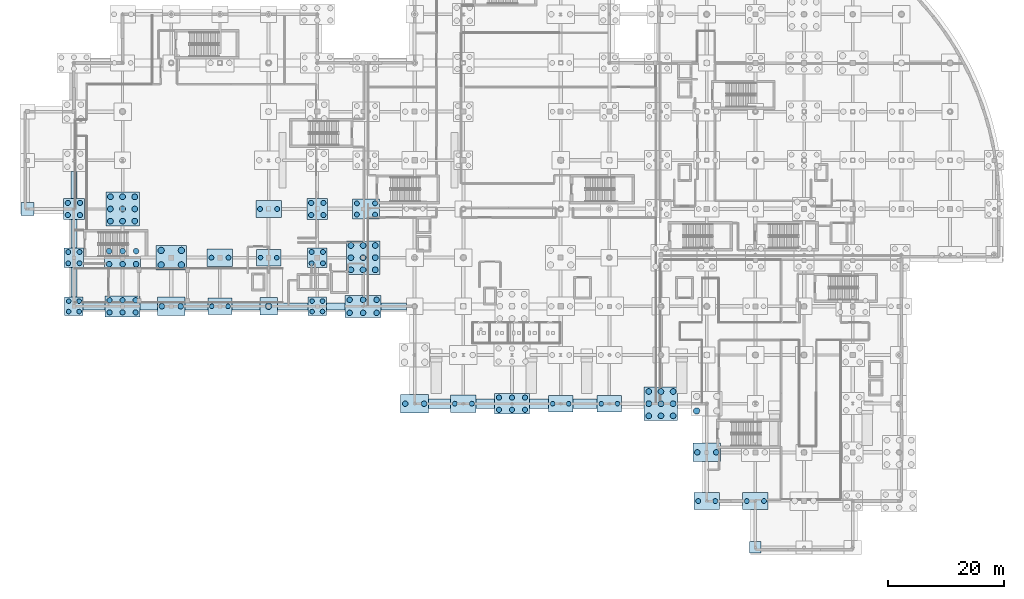
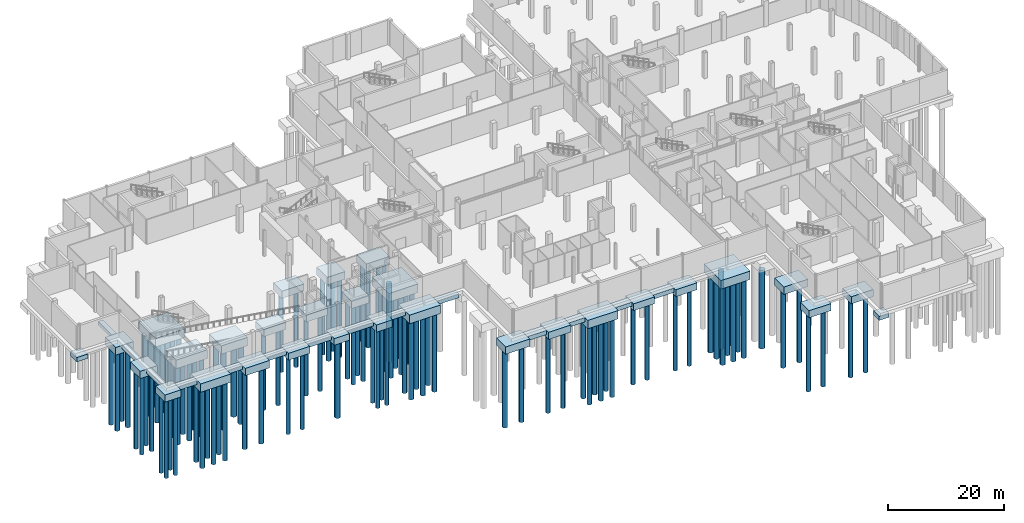
# One storey, part 1 of 49: 109 piles, 44 footings.
"""IFC4 building model written with IfcOpenShell, lengths in metres."""

from ifc_helpers import new_model, si_unit, direction, frame, origin, origin_2d, place, context, subcontext, project, spatial, rectangle, circle, extrude, material, material_profile, profile_set, type_object, element, save


model = new_model("IFC4")

# Units and contexts
model_context = context("Model", 3, precision=1e-05, world=origin(), true_north=direction((0.0, 1.0)))
body_context = subcontext(model_context, "Body", "Model", "MODEL_VIEW")
ifc_project = project(units=[si_unit("LENGTHUNIT", "METRE"), si_unit("AREAUNIT", "SQUARE_METRE"), si_unit("VOLUMEUNIT", "CUBIC_METRE"), si_unit("PLANEANGLEUNIT", "RADIAN"), si_unit("MASSUNIT", "GRAM", prefix="KILO"), si_unit("THERMODYNAMICTEMPERATUREUNIT", "KELVIN")], contexts=[model_context])

# Site, building, storey
site_placement = place(None, origin())
site = spatial("IfcSite", under=ifc_project, at=site_placement, CompositionType="ELEMENT")
building_placement = place(site_placement, origin())
building = spatial("IfcBuilding", under=site, at=building_placement, Name="Lustrewick Department Store", CompositionType="ELEMENT")
storey_placement = place(building_placement, frame((0.0, 0.0, -5.39990234375)))
storey = spatial("IfcBuildingStorey", under=building, at=storey_placement, Name="B1", CompositionType="ELEMENT", Elevation=-5.39990234375)

# Piles
ifc_material = material(Name="Concrete C40", Category="concrete")
ifc_material_profile_1 = material_profile(ifc_material, circle(Radius=0.39990234375, at=origin_2d()), Name="PILE D800")
ifc_profile_set_1 = profile_set([ifc_material_profile_1], Name="Concrete C40")
pile_type_1 = type_object("IfcPileType", Name="P01", PredefinedType="BORED", material=ifc_profile_set_1)
for number, where, z_axis, x_axis, name in (
    (1, (7.5, 41.10009765625, -2.10009765625), (0.0, 0.0, -1.0), (1.0, 0.0, 0.0), "Bored Pile P01 0001"),
    (2, (7.5, 42.89990234375, -2.10009765625), (0.0, 0.0, -1.0), (1.0, 0.0, 0.0), "Bored Pile P01 0002"),
    (3, (9.300048828125, 41.10009765625, -2.10009765625), (0.0, 0.0, -1.0), (1.0, 0.0, 0.0), "Bored Pile P01 0003"),
    (4, (9.300048828125, 42.89990234375, -2.10009765625), (0.0, 0.0, -1.0), (1.0, 0.0, 0.0), "Bored Pile P01 0004"),
    (5, (32.199951171875, 42.0, -2.050048828125), (0.0, 0.0, -1.0), (1.0, 0.0, 0.0), "Bored Pile P01 0062"),
    (6, (35.0, 42.0, -2.050048828125), (0.0, 0.0, -1.0), (1.0, 0.0, 0.0), "Bored Pile P01 0063"),
    (7, (40.60009765625, 50.39990234375, -2.050048828125), (0.0, 0.0, -1.0), (1.0, 0.0, 0.0), "Bored Pile P01 0070"),
    (8, (43.39990234375, 50.39990234375, -2.050048828125), (0.0, 0.0, -1.0), (1.0, 0.0, 0.0), "Bored Pile P01 0071"),
    (9, (49.5, 41.10009765625, -2.10009765625), (0.0, 0.0, -1.0), (1.0, 0.0, 0.0), "Bored Pile P01 0079"),
    (10, (49.5, 42.89990234375, -2.10009765625), (0.0, 0.0, -1.0), (1.0, 0.0, 0.0), "Bored Pile P01 0080"),
    (11, (51.300048828125, 41.10009765625, -2.10009765625), (0.0, 0.0, -1.0), (1.0, 0.0, 0.0), "Bored Pile P01 0081"),
    (12, (51.300048828125, 42.89990234375, -2.10009765625), (0.0, 0.0, -1.0), (1.0, 0.0, 0.0), "Bored Pile P01 0082"),
    (13, (91.0, 25.199951171875, -2.050048828125), (0.0, 0.0, -1.0), (1.0, 0.0, 0.0), "Bored Pile P01 0216"),
    (14, (93.800048828125, 25.199951171875, -2.050048828125), (0.0, 0.0, -1.0), (1.0, 0.0, 0.0), "Bored Pile P01 0217"),
    (15, (99.39990234375, 25.199951171875, -2.050048828125), (0.0, 0.0, -1.0), (1.0, 0.0, 0.0), "Bored Pile P01 0236"),
    (16, (102.199951171875, 25.199951171875, -2.050048828125), (0.0, 0.0, -1.0), (1.0, 0.0, 0.0), "Bored Pile P01 0237"),
):
    element("IfcPile", number, at=place(storey_placement, frame(where, z_axis=z_axis, x_axis=x_axis)), inside=storey, type_object=pile_type_1, Name=name, PredefinedType="BORED", context=body_context, shape_type="SweptSolid", body=[
        extrude(circle(Radius=0.39990234375, at=origin_2d()), origin(), (0.0, 0.0, 1.0), 16.5),
    ])
ifc_material_profile_2 = material_profile(ifc_material, circle(Radius=0.425048828125, at=origin_2d()), Name="PILE D850")
ifc_profile_set_2 = profile_set([ifc_material_profile_2], Name="Concrete C40")
pile_type_2 = type_object("IfcPileType", Name="P02", PredefinedType="BORED", material=ifc_profile_set_2)
for number, where, z_axis, x_axis, name in (
    (17, (7.425048828125, 49.425048828125, -2.150146484375), (0.0, 0.0, -1.0), (1.0, 0.0, 0.0), "Bored Pile P02 0005"),
    (18, (7.425048828125, 51.375, -2.150146484375), (0.0, 0.0, -1.0), (1.0, 0.0, 0.0), "Bored Pile P02 0006"),
    (19, (9.375, 49.425048828125, -2.150146484375), (0.0, 0.0, -1.0), (1.0, 0.0, 0.0), "Bored Pile P02 0007"),
    (20, (9.375, 51.375, -2.150146484375), (0.0, 0.0, -1.0), (1.0, 0.0, 0.0), "Bored Pile P02 0008"),
    (21, (32.125, 50.39990234375, -2.10009765625), (0.0, 0.0, -1.0), (1.0, 0.0, 0.0), "Bored Pile P02 0064"),
    (22, (35.074951171875, 50.39990234375, -2.10009765625), (0.0, 0.0, -1.0), (1.0, 0.0, 0.0), "Bored Pile P02 0065"),
    (23, (40.52490234375, 58.800048828125, -2.10009765625), (0.0, 0.0, -1.0), (1.0, 0.0, 0.0), "Bored Pile P02 0072"),
    (24, (43.47509765625, 58.800048828125, -2.10009765625), (0.0, 0.0, -1.0), (1.0, 0.0, 0.0), "Bored Pile P02 0073"),
    (25, (49.425048828125, 49.425048828125, -2.150146484375), (0.0, 0.0, -1.0), (1.0, 0.0, 0.0), "Bored Pile P02 0083"),
    (26, (49.425048828125, 51.375, -2.150146484375), (0.0, 0.0, -1.0), (1.0, 0.0, 0.0), "Bored Pile P02 0084"),
    (27, (51.375, 49.425048828125, -2.150146484375), (0.0, 0.0, -1.0), (1.0, 0.0, 0.0), "Bored Pile P02 0085"),
    (28, (51.375, 51.375, -2.150146484375), (0.0, 0.0, -1.0), (1.0, 0.0, 0.0), "Bored Pile P02 0086"),
    (29, (57.22509765625, 57.824951171875, -2.25), (0.0, 0.0, -1.0), (1.0, 0.0, 0.0), "Bored Pile P02 0126"),
    (30, (57.22509765625, 59.77490234375, -2.25), (0.0, 0.0, -1.0), (1.0, 0.0, 0.0), "Bored Pile P02 0127"),
    (31, (60.375, 57.824951171875, -2.25), (0.0, 0.0, -1.0), (1.0, 0.0, 0.0), "Bored Pile P02 0128"),
    (32, (60.375, 59.77490234375, -2.25), (0.0, 0.0, -1.0), (1.0, 0.0, 0.0), "Bored Pile P02 0129"),
    (33, (74.125, 25.199951171875, -2.10009765625), (0.0, 0.0, -1.0), (1.0, 0.0, 0.0), "Bored Pile P02 0160"),
    (34, (77.074951171875, 25.199951171875, -2.10009765625), (0.0, 0.0, -1.0), (1.0, 0.0, 0.0), "Bored Pile P02 0161"),
    (35, (116.125, 8.39990234375, -2.10009765625), (0.0, 0.0, -1.0), (1.0, 0.0, 0.0), "Bored Pile P02 0292"),
    (36, (119.074951171875, 8.39990234375, -2.10009765625), (0.0, 0.0, -1.0), (1.0, 0.0, 0.0), "Bored Pile P02 0293"),
    (37, (124.52490234375, 8.39990234375, -2.10009765625), (0.0, 0.0, -1.0), (1.0, 0.0, 0.0), "Bored Pile P02 0306"),
    (38, (127.47509765625, 8.39990234375, -2.10009765625), (0.0, 0.0, -1.0), (1.0, 0.0, 0.0), "Bored Pile P02 0307"),
):
    element("IfcPile", number, at=place(storey_placement, frame(where, z_axis=z_axis, x_axis=x_axis)), inside=storey, type_object=pile_type_2, Name=name, PredefinedType="BORED", context=body_context, shape_type="SweptSolid", body=[
        extrude(circle(Radius=0.425048828125, at=origin_2d()), origin(), (0.0, 0.0, 1.0), 16.5),
    ])
ifc_material_profile_3 = material_profile(ifc_material, circle(Radius=0.449951171875, at=origin_2d()), Name="PILE D900")
ifc_profile_set_3 = profile_set([ifc_material_profile_3], Name="Concrete C40")
pile_type_3 = type_object("IfcPileType", Name="P03", PredefinedType="BORED", material=ifc_profile_set_3)
for number, where, z_axis, x_axis, name in (
    (39, (7.35009765625, 57.75, -2.2001953125), (0.0, 0.0, -1.0), (1.0, 0.0, 0.0), "Bored Pile P03 0009"),
    (40, (7.35009765625, 59.85009765625, -2.2001953125), (0.0, 0.0, -1.0), (1.0, 0.0, 0.0), "Bored Pile P03 0010"),
    (41, (9.449951171875, 57.75, -2.2001953125), (0.0, 0.0, -1.0), (1.0, 0.0, 0.0), "Bored Pile P03 0011"),
    (42, (9.449951171875, 59.85009765625, -2.2001953125), (0.0, 0.0, -1.0), (1.0, 0.0, 0.0), "Bored Pile P03 0012"),
    (43, (14.550048828125, 40.949951171875, -2.35009765625), (0.0, 0.0, -1.0), (1.0, 0.0, 0.0), "Bored Pile P03 0027"),
    (44, (14.550048828125, 43.050048828125, -2.35009765625), (0.0, 0.0, -1.0), (1.0, 0.0, 0.0), "Bored Pile P03 0028"),
    (45, (16.800048828125, 40.949951171875, -2.35009765625), (0.0, 0.0, -1.0), (1.0, 0.0, 0.0), "Bored Pile P03 0029"),
    (46, (16.800048828125, 43.050048828125, -2.35009765625), (0.0, 0.0, -1.0), (1.0, 0.0, 0.0), "Bored Pile P03 0030"),
    (47, (19.050048828125, 40.949951171875, -2.35009765625), (0.0, 0.0, -1.0), (1.0, 0.0, 0.0), "Bored Pile P03 0031"),
    (48, (19.050048828125, 43.050048828125, -2.35009765625), (0.0, 0.0, -1.0), (1.0, 0.0, 0.0), "Bored Pile P03 0032"),
    (49, (49.35009765625, 57.75, -2.2001953125), (0.0, 0.0, -1.0), (1.0, 0.0, 0.0), "Bored Pile P03 0087"),
    (50, (49.35009765625, 59.85009765625, -2.2001953125), (0.0, 0.0, -1.0), (1.0, 0.0, 0.0), "Bored Pile P03 0088"),
    (51, (51.449951171875, 57.75, -2.2001953125), (0.0, 0.0, -1.0), (1.0, 0.0, 0.0), "Bored Pile P03 0089"),
    (52, (51.449951171875, 59.85009765625, -2.2001953125), (0.0, 0.0, -1.0), (1.0, 0.0, 0.0), "Bored Pile P03 0090"),
    (53, (81.75, 24.14990234375, -2.35009765625), (0.0, 0.0, -1.0), (1.0, 0.0, 0.0), "Bored Pile P03 0193"),
    (54, (81.75, 26.25, -2.35009765625), (0.0, 0.0, -1.0), (1.0, 0.0, 0.0), "Bored Pile P03 0194"),
    (55, (84.0, 24.14990234375, -2.35009765625), (0.0, 0.0, -1.0), (1.0, 0.0, 0.0), "Bored Pile P03 0195"),
    (56, (84.0, 26.25, -2.35009765625), (0.0, 0.0, -1.0), (1.0, 0.0, 0.0), "Bored Pile P03 0196"),
    (57, (86.25, 24.14990234375, -2.35009765625), (0.0, 0.0, -1.0), (1.0, 0.0, 0.0), "Bored Pile P03 0197"),
    (58, (86.25, 26.25, -2.35009765625), (0.0, 0.0, -1.0), (1.0, 0.0, 0.0), "Bored Pile P03 0198"),
):
    element("IfcPile", number, at=place(storey_placement, frame(where, z_axis=z_axis, x_axis=x_axis)), inside=storey, type_object=pile_type_3, Name=name, PredefinedType="BORED", context=body_context, shape_type="SweptSolid", body=[
        extrude(circle(Radius=0.449951171875, at=origin_2d()), origin(), (0.0, 0.0, 1.0), 16.5),
    ])
ifc_material_profile_4 = material_profile(ifc_material, circle(Radius=0.47509765625, at=origin_2d()), Name="PILE D950")
ifc_profile_set_4 = profile_set([ifc_material_profile_4], Name="Concrete C40")
pile_type_4 = type_object("IfcPileType", Name="P04", PredefinedType="BORED", material=ifc_profile_set_4)
for number, where, z_axis, x_axis, name in (
    (59, (14.47509765625, 49.27490234375, -2.400146484375), (0.0, 0.0, -1.0), (1.0, 0.0, 0.0), "Bored Pile P04 0033"),
    (60, (14.47509765625, 51.52490234375, -2.400146484375), (0.0, 0.0, -1.0), (1.0, 0.0, 0.0), "Bored Pile P04 0034"),
    (61, (16.800048828125, 49.27490234375, -2.400146484375), (0.0, 0.0, -1.0), (1.0, 0.0, 0.0), "Bored Pile P04 0035"),
    (62, (16.800048828125, 51.52490234375, -2.400146484375), (0.0, 0.0, -1.0), (1.0, 0.0, 0.0), "Bored Pile P04 0036"),
    (63, (19.125, 49.27490234375, -2.400146484375), (0.0, 0.0, -1.0), (1.0, 0.0, 0.0), "Bored Pile P04 0037"),
    (64, (19.125, 51.52490234375, -2.400146484375), (0.0, 0.0, -1.0), (1.0, 0.0, 0.0), "Bored Pile P04 0038"),
    (65, (23.574951171875, 42.0, -2.150146484375), (0.0, 0.0, -1.0), (1.0, 0.0, 0.0), "Bored Pile P04 0054"),
    (66, (26.824951171875, 42.0, -2.150146484375), (0.0, 0.0, -1.0), (1.0, 0.0, 0.0), "Bored Pile P04 0055"),
    (67, (55.97509765625, 40.875, -2.400146484375), (0.0, 0.0, -1.0), (1.0, 0.0, 0.0), "Bored Pile P04 0111"),
    (68, (55.97509765625, 43.125, -2.400146484375), (0.0, 0.0, -1.0), (1.0, 0.0, 0.0), "Bored Pile P04 0112"),
    (69, (58.300048828125, 40.875, -2.400146484375), (0.0, 0.0, -1.0), (1.0, 0.0, 0.0), "Bored Pile P04 0113"),
    (70, (58.300048828125, 43.125, -2.400146484375), (0.0, 0.0, -1.0), (1.0, 0.0, 0.0), "Bored Pile P04 0114"),
    (71, (60.625, 40.875, -2.400146484375), (0.0, 0.0, -1.0), (1.0, 0.0, 0.0), "Bored Pile P04 0115"),
    (72, (60.625, 43.125, -2.400146484375), (0.0, 0.0, -1.0), (1.0, 0.0, 0.0), "Bored Pile P04 0116"),
    (73, (65.574951171875, 25.199951171875, -2.150146484375), (0.0, 0.0, -1.0), (1.0, 0.0, 0.0), "Bored Pile P04 0142"),
    (74, (68.824951171875, 25.199951171875, -2.150146484375), (0.0, 0.0, -1.0), (1.0, 0.0, 0.0), "Bored Pile P04 0143"),
    (75, (115.97509765625, 16.800048828125, -2.150146484375), (0.0, 0.0, -1.0), (1.0, 0.0, 0.0), "Bored Pile P04 0294"),
    (76, (119.22509765625, 16.800048828125, -2.150146484375), (0.0, 0.0, -1.0), (1.0, 0.0, 0.0), "Bored Pile P04 0295"),
):
    element("IfcPile", number, at=place(storey_placement, frame(where, z_axis=z_axis, x_axis=x_axis)), inside=storey, type_object=pile_type_4, Name=name, PredefinedType="BORED", context=body_context, shape_type="SweptSolid", body=[
        extrude(circle(Radius=0.47509765625, at=origin_2d()), origin(), (0.0, 0.0, 1.0), 16.5),
    ])
ifc_material_profile_5 = material_profile(ifc_material, circle(Radius=0.5, at=origin_2d()), Name="PILE D1000")
ifc_profile_set_5 = profile_set([ifc_material_profile_5], Name="Concrete C40")
pile_type_5 = type_object("IfcPileType", Name="P05", PredefinedType="BORED", material=ifc_profile_set_5)
for number, where, z_axis, x_axis, name in (
    (77, (14.699951171875, 56.699951171875, -2.400146484375), (0.0, 0.0, -1.0), (1.0, 0.0, 0.0), "Bored Pile P05 0039"),
    (78, (14.699951171875, 58.800048828125, -2.400146484375), (0.0, 0.0, -1.0), (1.0, 0.0, 0.0), "Bored Pile P05 0040"),
    (79, (14.699951171875, 60.89990234375, -2.400146484375), (0.0, 0.0, -1.0), (1.0, 0.0, 0.0), "Bored Pile P05 0041"),
    (80, (16.800048828125, 56.699951171875, -2.400146484375), (0.0, 0.0, -1.0), (1.0, 0.0, 0.0), "Bored Pile P05 0042"),
    (81, (16.800048828125, 58.800048828125, -2.400146484375), (0.0, 0.0, -1.0), (1.0, 0.0, 0.0), "Bored Pile P05 0043"),
    (82, (16.800048828125, 60.89990234375, -2.400146484375), (0.0, 0.0, -1.0), (1.0, 0.0, 0.0), "Bored Pile P05 0044"),
    (83, (18.89990234375, 56.699951171875, -2.400146484375), (0.0, 0.0, -1.0), (1.0, 0.0, 0.0), "Bored Pile P05 0045"),
    (84, (18.89990234375, 58.800048828125, -2.400146484375), (0.0, 0.0, -1.0), (1.0, 0.0, 0.0), "Bored Pile P05 0046"),
    (85, (18.89990234375, 60.89990234375, -2.400146484375), (0.0, 0.0, -1.0), (1.0, 0.0, 0.0), "Bored Pile P05 0047"),
    (86, (56.199951171875, 48.300048828125, -2.400146484375), (0.0, 0.0, -1.0), (1.0, 0.0, 0.0), "Bored Pile P05 0117"),
    (87, (56.199951171875, 50.39990234375, -2.400146484375), (0.0, 0.0, -1.0), (1.0, 0.0, 0.0), "Bored Pile P05 0118"),
    (88, (56.199951171875, 52.5, -2.400146484375), (0.0, 0.0, -1.0), (1.0, 0.0, 0.0), "Bored Pile P05 0119"),
    (89, (58.300048828125, 48.300048828125, -2.400146484375), (0.0, 0.0, -1.0), (1.0, 0.0, 0.0), "Bored Pile P05 0120"),
    (90, (58.300048828125, 50.39990234375, -2.400146484375), (0.0, 0.0, -1.0), (1.0, 0.0, 0.0), "Bored Pile P05 0121"),
    (91, (58.300048828125, 52.5, -2.400146484375), (0.0, 0.0, -1.0), (1.0, 0.0, 0.0), "Bored Pile P05 0122"),
    (92, (60.39990234375, 48.300048828125, -2.400146484375), (0.0, 0.0, -1.0), (1.0, 0.0, 0.0), "Bored Pile P05 0123"),
    (93, (60.39990234375, 50.39990234375, -2.400146484375), (0.0, 0.0, -1.0), (1.0, 0.0, 0.0), "Bored Pile P05 0124"),
    (94, (60.39990234375, 52.5, -2.400146484375), (0.0, 0.0, -1.0), (1.0, 0.0, 0.0), "Bored Pile P05 0125"),
    (95, (107.60009765625, 23.10009765625, -2.400146484375), (0.0, 0.0, -1.0), (1.0, 0.0, 0.0), "Bored Pile P05 0277"),
    (96, (107.60009765625, 25.199951171875, -2.400146484375), (0.0, 0.0, -1.0), (1.0, 0.0, 0.0), "Bored Pile P05 0278"),
    (97, (107.60009765625, 27.300048828125, -2.400146484375), (0.0, 0.0, -1.0), (1.0, 0.0, 0.0), "Bored Pile P05 0279"),
    (98, (109.699951171875, 23.10009765625, -2.400146484375), (0.0, 0.0, -1.0), (1.0, 0.0, 0.0), "Bored Pile P05 0280"),
    (99, (109.699951171875, 25.199951171875, -2.400146484375), (0.0, 0.0, -1.0), (1.0, 0.0, 0.0), "Bored Pile P05 0281"),
    (100, (109.699951171875, 27.300048828125, -2.400146484375), (0.0, 0.0, -1.0), (1.0, 0.0, 0.0), "Bored Pile P05 0282"),
    (101, (111.800048828125, 23.10009765625, -2.400146484375), (0.0, 0.0, -1.0), (1.0, 0.0, 0.0), "Bored Pile P05 0283"),
    (102, (111.800048828125, 25.199951171875, -2.400146484375), (0.0, 0.0, -1.0), (1.0, 0.0, 0.0), "Bored Pile P05 0284"),
    (103, (111.800048828125, 27.300048828125, -2.400146484375), (0.0, 0.0, -1.0), (1.0, 0.0, 0.0), "Bored Pile P05 0285"),
):
    element("IfcPile", number, at=place(storey_placement, frame(where, z_axis=z_axis, x_axis=x_axis)), inside=storey, type_object=pile_type_5, Name=name, PredefinedType="BORED", context=body_context, shape_type="SweptSolid", body=[
        extrude(circle(Radius=0.5, at=origin_2d()), origin(), (0.0, 0.0, 1.0), 16.5),
    ])
ifc_material_profile_6 = material_profile(ifc_material, circle(Radius=0.550048828125, at=origin_2d()), Name="PILE D1100")
ifc_profile_set_6 = profile_set([ifc_material_profile_6], Name="Concrete C40")
pile_type_6 = type_object("IfcPileType", Name="P06", PredefinedType="BORED", material=ifc_profile_set_6)
for number, where, z_axis, x_axis, name in (
    (104, (23.449951171875, 49.14990234375, -2.35009765625), (0.0, 0.0, -1.0), (1.0, 0.0, 0.0), "Bored Pile P06 0056"),
    (105, (23.449951171875, 51.64990234375, -2.35009765625), (0.0, 0.0, -1.0), (1.0, 0.0, 0.0), "Bored Pile P06 0057"),
    (106, (26.949951171875, 49.14990234375, -2.35009765625), (0.0, 0.0, -1.0), (1.0, 0.0, 0.0), "Bored Pile P06 0058"),
    (107, (26.949951171875, 51.64990234375, -2.35009765625), (0.0, 0.0, -1.0), (1.0, 0.0, 0.0), "Bored Pile P06 0059"),
    (108, (42.0, 42.0, -2.0), (0.0, 0.0, -1.0), (1.0, 0.0, 0.0), "Bored Pile P06 0069"),
    (109, (115.85009765625, 23.949951171875, -2.35009765625), (0.0, 0.0, -1.0), (1.0, 0.0, 0.0), "Bored Pile P06 0296"),
):
    element("IfcPile", number, at=place(storey_placement, frame(where, z_axis=z_axis, x_axis=x_axis)), inside=storey, type_object=pile_type_6, Name=name, PredefinedType="BORED", context=body_context, shape_type="SweptSolid", body=[
        extrude(circle(Radius=0.550048828125, at=origin_2d()), origin(), (0.0, 0.0, 1.0), 16.5),
    ])

# Footings
footing_type_1 = type_object("IfcFootingType", Name="PC01", PredefinedType="PILE_CAP", material=ifc_material)
for number, where, z_axis, x_axis, name in (
    (110, (8.39990234375, 42.0, -2.2001953125), (0.0, 0.0, 1.0), (1.0, 0.0, 0.0), "Pile Cap PC01 001"),
    (111, (50.39990234375, 42.0, -2.2001953125), (0.0, 0.0, 1.0), (1.0, 0.0, 0.0), "Pile Cap PC01 029"),
):
    element("IfcFooting", number, at=place(storey_placement, frame(where, z_axis=z_axis, x_axis=x_axis)), inside=storey, type_object=footing_type_1, Name=name, PredefinedType="PILE_CAP", context=body_context, shape_type="SweptSolid", body=[
        extrude(rectangle(XDim=3.199951171875, YDim=3.199951171875, at=origin_2d()), origin(), (0.0, 0.0, 1.0), 1.5),
    ])
footing_type_2 = type_object("IfcFootingType", Name="PC02", PredefinedType="PILE_CAP", material=ifc_material)
for number, where, z_axis, x_axis, name in (
    (112, (8.39990234375, 50.39990234375, -2.25), (0.0, 0.0, 1.0), (1.0, 0.0, 0.0), "Pile Cap PC02 002"),
    (113, (50.39990234375, 50.39990234375, -2.25), (0.0, 0.0, 1.0), (1.0, 0.0, 0.0), "Pile Cap PC02 030"),
):
    element("IfcFooting", number, at=place(storey_placement, frame(where, z_axis=z_axis, x_axis=x_axis)), inside=storey, type_object=footing_type_2, Name=name, PredefinedType="PILE_CAP", context=body_context, shape_type="SweptSolid", body=[
        extrude(rectangle(XDim=3.39990234375, YDim=3.39990234375, at=origin_2d()), origin(), (0.0, 0.0, 1.0), 1.550048828125),
    ])
footing_type_3 = type_object("IfcFootingType", Name="PC03", PredefinedType="PILE_CAP", material=ifc_material)
for number, where, z_axis, x_axis, name in (
    (114, (8.39990234375, 58.800048828125, -2.300048828125), (0.0, 0.0, 1.0), (1.0, 0.0, 0.0), "Pile Cap PC03 003"),
    (115, (50.39990234375, 58.800048828125, -2.300048828125), (0.0, 0.0, 1.0), (1.0, 0.0, 0.0), "Pile Cap PC03 031"),
):
    element("IfcFooting", number, at=place(storey_placement, frame(where, z_axis=z_axis, x_axis=x_axis)), inside=storey, type_object=footing_type_3, Name=name, PredefinedType="PILE_CAP", context=body_context, shape_type="SweptSolid", body=[
        extrude(rectangle(XDim=3.60009765625, YDim=3.60009765625, at=origin_2d()), origin(), (0.0, 0.0, 1.0), 1.60009765625),
    ])
footing_type_4 = type_object("IfcFootingType", Name="PC07", PredefinedType="PILE_CAP", material=ifc_material)
footing_1_placement = place(storey_placement, frame((58.800048828125, 58.800048828125, -2.35009765625), z_axis=(0.0, 0.0, 1.0), x_axis=(1.0, 0.0, 0.0)))
element("IfcFooting", 116, at=footing_1_placement, inside=storey, type_object=footing_type_4, Name="Pile Cap PC07 038", PredefinedType="PILE_CAP", context=body_context, shape_type="SweptSolid", body=[
    extrude(rectangle(XDim=4.60009765625, YDim=3.39990234375, at=origin_2d()), origin(), (0.0, 0.0, 1.0), 1.64990234375),
])
footing_type_5 = type_object("IfcFootingType", Name="PC10", PredefinedType="PILE_CAP", material=ifc_material)
for number, where, z_axis, x_axis, name in (
    (117, (16.800048828125, 42.0, -2.4501953125), (0.0, 0.0, 1.0), (1.0, 0.0, 0.0), "Pile Cap PC10 007"),
    (118, (84.0, 25.199951171875, -2.4501953125), (0.0, 0.0, 1.0), (1.0, 0.0, 0.0), "Pile Cap PC10 063"),
):
    element("IfcFooting", number, at=place(storey_placement, frame(where, z_axis=z_axis, x_axis=x_axis)), inside=storey, type_object=footing_type_5, Name=name, PredefinedType="PILE_CAP", context=body_context, shape_type="SweptSolid", body=[
        extrude(rectangle(XDim=6.0, YDim=3.60009765625, at=origin_2d()), origin(), (0.0, 0.0, 1.0), 1.75),
    ])
footing_type_6 = type_object("IfcFootingType", Name="PC11", PredefinedType="PILE_CAP", material=ifc_material)
for number, where, z_axis, x_axis, name in (
    (119, (16.800048828125, 50.39990234375, -2.5), (0.0, 0.0, 1.0), (1.0, 0.0, 0.0), "Pile Cap PC11 008"),
    (120, (58.300048828125, 42.0, -2.5), (0.0, 0.0, 1.0), (1.0, 0.0, 0.0), "Pile Cap PC11 036"),
):
    element("IfcFooting", number, at=place(storey_placement, frame(where, z_axis=z_axis, x_axis=x_axis)), inside=storey, type_object=footing_type_6, Name=name, PredefinedType="PILE_CAP", context=body_context, shape_type="SweptSolid", body=[
        extrude(rectangle(XDim=6.199951171875, YDim=3.800048828125, at=origin_2d()), origin(), (0.0, 0.0, 1.0), 1.800048828125),
    ])
footing_type_7 = type_object("IfcFootingType", Name="PC12", PredefinedType="PILE_CAP", material=ifc_material)
for number, where, z_axis, x_axis, name in (
    (121, (16.800048828125, 58.800048828125, -2.5), (0.0, 0.0, 1.0), (1.0, 0.0, 0.0), "Pile Cap PC12 009"),
    (122, (58.300048828125, 50.39990234375, -2.5), (0.0, 0.0, 1.0), (1.0, 0.0, 0.0), "Pile Cap PC12 037"),
    (123, (109.699951171875, 25.199951171875, -2.5), (0.0, 0.0, 1.0), (1.0, 0.0, 0.0), "Pile Cap PC12 093"),
):
    element("IfcFooting", number, at=place(storey_placement, frame(where, z_axis=z_axis, x_axis=x_axis)), inside=storey, type_object=footing_type_7, Name=name, PredefinedType="PILE_CAP", context=body_context, shape_type="SweptSolid", body=[
        extrude(rectangle(XDim=5.800048828125, YDim=5.800048828125, at=origin_2d()), origin(), (0.0, 0.0, 1.0), 1.800048828125),
    ])
footing_type_8 = type_object("IfcFootingType", Name="PC14", PredefinedType="PILE_CAP", material=ifc_material)
footing_2_placement = place(storey_placement, frame((42.0, 42.0, -2.10009765625), z_axis=(0.0, 0.0, 1.0), x_axis=(1.0, 0.0, 0.0)))
element("IfcFooting", 124, at=footing_2_placement, inside=storey, type_object=footing_type_8, Name="Pile Cap PC14 022", PredefinedType="PILE_CAP", context=body_context, shape_type="SweptSolid", body=[
    extrude(rectangle(XDim=3.0, YDim=3.0, at=origin_2d()), origin(), (0.0, 0.0, 1.0), 1.39990234375),
])
footing_type_9 = type_object("IfcFootingType", Name="PC15", PredefinedType="PILE_CAP", material=ifc_material)
for number, where, z_axis, x_axis, name in (
    (125, (33.60009765625, 42.0, -2.14990234375), (0.0, 0.0, 1.0), (1.0, 0.0, 0.0), "Pile Cap PC15 018"),
    (126, (42.0, 50.39990234375, -2.14990234375), (0.0, 0.0, 1.0), (1.0, 0.0, 0.0), "Pile Cap PC15 023"),
    (127, (92.39990234375, 25.199951171875, -2.14990234375), (0.0, 0.0, 1.0), (1.0, 0.0, 0.0), "Pile Cap PC15 068"),
    (128, (100.800048828125, 25.199951171875, -2.14990234375), (0.0, 0.0, 1.0), (1.0, 0.0, 0.0), "Pile Cap PC15 079"),
):
    element("IfcFooting", number, at=place(storey_placement, frame(where, z_axis=z_axis, x_axis=x_axis)), inside=storey, type_object=footing_type_9, Name=name, PredefinedType="PILE_CAP", context=body_context, shape_type="SweptSolid", body=[
        extrude(rectangle(XDim=4.199951171875, YDim=2.800048828125, at=origin_2d()), origin(), (0.0, 0.0, 1.0), 1.449951171875),
    ])
footing_type_10 = type_object("IfcFootingType", Name="PC16", PredefinedType="PILE_CAP", material=ifc_material)
for number, where, z_axis, x_axis, name in (
    (129, (33.60009765625, 50.39990234375, -2.2001953125), (0.0, 0.0, 1.0), (1.0, 0.0, 0.0), "Pile Cap PC16 019"),
    (130, (42.0, 58.800048828125, -2.2001953125), (0.0, 0.0, 1.0), (1.0, 0.0, 0.0), "Pile Cap PC16 024"),
    (131, (75.60009765625, 25.199951171875, -2.2001953125), (0.0, 0.0, 1.0), (1.0, 0.0, 0.0), "Pile Cap PC16 052"),
    (132, (117.60009765625, 8.39990234375, -2.2001953125), (0.0, 0.0, 1.0), (1.0, 0.0, 0.0), "Pile Cap PC16 097"),
    (133, (126.0, 8.39990234375, -2.2001953125), (0.0, 0.0, 1.0), (1.0, 0.0, 0.0), "Pile Cap PC16 103"),
):
    element("IfcFooting", number, at=place(storey_placement, frame(where, z_axis=z_axis, x_axis=x_axis)), inside=storey, type_object=footing_type_10, Name=name, PredefinedType="PILE_CAP", context=body_context, shape_type="SweptSolid", body=[
        extrude(rectangle(XDim=4.39990234375, YDim=3.0, at=origin_2d()), origin(), (0.0, 0.0, 1.0), 1.5),
    ])
footing_type_11 = type_object("IfcFootingType", Name="PC17", PredefinedType="PILE_CAP", material=ifc_material)
for number, where, z_axis, x_axis, name in (
    (134, (25.199951171875, 42.0, -2.25), (0.0, 0.0, 1.0), (1.0, 0.0, 0.0), "Pile Cap PC17 014"),
    (135, (67.199951171875, 25.199951171875, -2.25), (0.0, 0.0, 1.0), (1.0, 0.0, 0.0), "Pile Cap PC17 042"),
    (136, (117.60009765625, 16.800048828125, -2.25), (0.0, 0.0, 1.0), (1.0, 0.0, 0.0), "Pile Cap PC17 098"),
):
    element("IfcFooting", number, at=place(storey_placement, frame(where, z_axis=z_axis, x_axis=x_axis)), inside=storey, type_object=footing_type_11, Name=name, PredefinedType="PILE_CAP", context=body_context, shape_type="SweptSolid", body=[
        extrude(rectangle(XDim=4.800048828125, YDim=3.199951171875, at=origin_2d()), origin(), (0.0, 0.0, 1.0), 1.550048828125),
    ])
footing_type_12 = type_object("IfcFootingType", Name="PC18", PredefinedType="PILE_CAP", material=ifc_material)
footing_3_placement = place(storey_placement, frame((25.199951171875, 50.39990234375, -2.4501953125), z_axis=(0.0, 0.0, 1.0), x_axis=(1.0, 0.0, 0.0)))
element("IfcFooting", 137, at=footing_3_placement, inside=storey, type_object=footing_type_12, Name="Pile Cap PC18 015", PredefinedType="PILE_CAP", context=body_context, shape_type="SweptSolid", body=[
    extrude(rectangle(XDim=5.199951171875, YDim=4.199951171875, at=origin_2d()), origin(), (0.0, 0.0, 1.0), 1.75),
])
footing_type_13 = type_object("IfcFootingType", Name="PF01", PredefinedType="PAD_FOOTING", material=ifc_material)
footing_4_placement = place(storey_placement, frame((0.39990234375, 58.800048828125, -1.60009765625), z_axis=(0.0, 0.0, 1.0), x_axis=(1.0, 0.0, 0.0)))
element("IfcFooting", 138, at=footing_4_placement, inside=storey, type_object=footing_type_13, Name="Pad Footing PF01 001", PredefinedType="PAD_FOOTING", context=body_context, shape_type="SweptSolid", body=[
    extrude(rectangle(XDim=2.199951171875, YDim=2.199951171875, at=origin_2d()), origin(), (0.0, 0.0, 1.0), 0.89990234375),
])
footing_type_14 = type_object("IfcFootingType", Name="PF04", PredefinedType="PAD_FOOTING", material=ifc_material)
footing_5_placement = place(storey_placement, frame((126.0, 0.39990234375, -1.550048828125), z_axis=(0.0, 0.0, 1.0), x_axis=(1.0, 0.0, 0.0)))
element("IfcFooting", 139, at=footing_5_placement, inside=storey, type_object=footing_type_14, Name="Pad Footing PF04 004", PredefinedType="PAD_FOOTING", context=body_context, shape_type="SweptSolid", body=[
    extrude(rectangle(XDim=2.0, YDim=2.0, at=origin_2d()), origin(), (0.0, 0.0, 1.0), 0.85009765625),
])
footing_type_15 = type_object("IfcFootingType", Name="SF01", PredefinedType="STRIP_FOOTING", material=ifc_material)
footing_6_placement = place(storey_placement, frame((11.89990234375, 42.0, -1.5), z_axis=(0.0, 0.0, 1.0), x_axis=(1.0, 0.0, 0.0)))
element("IfcFooting", 140, at=footing_6_placement, inside=storey, type_object=footing_type_15, Name="Strip Footing SF01 001", PredefinedType="STRIP_FOOTING", context=body_context, shape_type="SweptSolid", body=[
    extrude(rectangle(XDim=3.800048828125, YDim=1.199951171875, at=origin_2d()), origin(), (0.0, 0.0, 1.0), 0.800048828125),
])
footing_7_placement = place(storey_placement, frame((21.300048828125, 42.0, -1.5), z_axis=(0.0, 0.0, 1.0), x_axis=(1.0, 0.0, 0.0)))
element("IfcFooting", 141, at=footing_7_placement, inside=storey, type_object=footing_type_15, Name="Strip Footing SF01 002", PredefinedType="STRIP_FOOTING", context=body_context, shape_type="SweptSolid", body=[
    extrude(rectangle(XDim=3.0, YDim=1.199951171875, at=origin_2d()), origin(), (0.0, 0.0, 1.0), 0.800048828125),
])
footing_8_placement = place(storey_placement, frame((29.550048828125, 42.0, -1.5), z_axis=(0.0, 0.0, 1.0), x_axis=(1.0, 0.0, 0.0)))
element("IfcFooting", 142, at=footing_8_placement, inside=storey, type_object=footing_type_15, Name="Strip Footing SF01 003", PredefinedType="STRIP_FOOTING", context=body_context, shape_type="SweptSolid", body=[
    extrude(rectangle(XDim=3.89990234375, YDim=1.199951171875, at=origin_2d()), origin(), (0.0, 0.0, 1.0), 0.800048828125),
])
footing_9_placement = place(storey_placement, frame((38.10009765625, 42.0, -1.5), z_axis=(0.0, 0.0, 1.0), x_axis=(1.0, 0.0, 0.0)))
element("IfcFooting", 143, at=footing_9_placement, inside=storey, type_object=footing_type_15, Name="Strip Footing SF01 004", PredefinedType="STRIP_FOOTING", context=body_context, shape_type="SweptSolid", body=[
    extrude(rectangle(XDim=4.800048828125, YDim=1.199951171875, at=origin_2d()), origin(), (0.0, 0.0, 1.0), 0.800048828125),
])
footing_10_placement = place(storey_placement, frame((46.14990234375, 42.0, -1.5), z_axis=(0.0, 0.0, 1.0), x_axis=(1.0, 0.0, 0.0)))
element("IfcFooting", 144, at=footing_10_placement, inside=storey, type_object=footing_type_15, Name="Strip Footing SF01 005", PredefinedType="STRIP_FOOTING", context=body_context, shape_type="SweptSolid", body=[
    extrude(rectangle(XDim=5.300048828125, YDim=1.199951171875, at=origin_2d()), origin(), (0.0, 0.0, 1.0), 0.800048828125),
])
footing_11_placement = place(storey_placement, frame((53.60009765625, 42.0, -1.5), z_axis=(0.0, 0.0, 1.0), x_axis=(1.0, 0.0, 0.0)))
element("IfcFooting", 145, at=footing_11_placement, inside=storey, type_object=footing_type_15, Name="Strip Footing SF01 006", PredefinedType="STRIP_FOOTING", context=body_context, shape_type="SweptSolid", body=[
    extrude(rectangle(XDim=3.199951171875, YDim=1.199951171875, at=origin_2d()), origin(), (0.0, 0.0, 1.0), 0.800048828125),
])
footing_12_placement = place(storey_placement, frame((63.60009765625, 42.0, -1.5), z_axis=(0.0, 0.0, 1.0), x_axis=(1.0, 0.0, 0.0)))
element("IfcFooting", 146, at=footing_12_placement, inside=storey, type_object=footing_type_15, Name="Strip Footing SF01 007", PredefinedType="STRIP_FOOTING", context=body_context, shape_type="SweptSolid", body=[
    extrude(rectangle(XDim=4.39990234375, YDim=1.199951171875, at=origin_2d()), origin(), (0.0, 0.0, 1.0), 0.800048828125),
])
footing_type_16 = type_object("IfcFootingType", Name="SF03", PredefinedType="STRIP_FOOTING", material=ifc_material)
footing_13_placement = place(storey_placement, frame((71.5, 25.199951171875, -1.60009765625), z_axis=(0.0, 0.0, 1.0), x_axis=(1.0, 0.0, 0.0)))
element("IfcFooting", 147, at=footing_13_placement, inside=storey, type_object=footing_type_16, Name="Strip Footing SF03 022", PredefinedType="STRIP_FOOTING", context=body_context, shape_type="SweptSolid", body=[
    extrude(rectangle(XDim=3.800048828125, YDim=1.60009765625, at=origin_2d()), origin(), (0.0, 0.0, 1.0), 0.89990234375),
])
footing_14_placement = place(storey_placement, frame((79.39990234375, 25.199951171875, -1.60009765625), z_axis=(0.0, 0.0, 1.0), x_axis=(1.0, 0.0, 0.0)))
element("IfcFooting", 148, at=footing_14_placement, inside=storey, type_object=footing_type_16, Name="Strip Footing SF03 023", PredefinedType="STRIP_FOOTING", context=body_context, shape_type="SweptSolid", body=[
    extrude(rectangle(XDim=3.199951171875, YDim=1.60009765625, at=origin_2d()), origin(), (0.0, 0.0, 1.0), 0.89990234375),
])
footing_15_placement = place(storey_placement, frame((88.64990234375, 25.199951171875, -1.60009765625), z_axis=(0.0, 0.0, 1.0), x_axis=(1.0, 0.0, 0.0)))
element("IfcFooting", 149, at=footing_15_placement, inside=storey, type_object=footing_type_16, Name="Strip Footing SF03 024", PredefinedType="STRIP_FOOTING", context=body_context, shape_type="SweptSolid", body=[
    extrude(rectangle(XDim=3.300048828125, YDim=1.60009765625, at=origin_2d()), origin(), (0.0, 0.0, 1.0), 0.89990234375),
])
footing_16_placement = place(storey_placement, frame((96.60009765625, 25.199951171875, -1.60009765625), z_axis=(0.0, 0.0, 1.0), x_axis=(1.0, 0.0, 0.0)))
element("IfcFooting", 150, at=footing_16_placement, inside=storey, type_object=footing_type_16, Name="Strip Footing SF03 025", PredefinedType="STRIP_FOOTING", context=body_context, shape_type="SweptSolid", body=[
    extrude(rectangle(XDim=4.199951171875, YDim=1.60009765625, at=origin_2d()), origin(), (0.0, 0.0, 1.0), 0.89990234375),
])
footing_type_17 = type_object("IfcFootingType", Name="SF04", PredefinedType="STRIP_FOOTING", material=ifc_material)
footing_17_placement = place(storey_placement, frame((8.39990234375, 46.14990234375, -1.4501953125), z_axis=(0.0, 0.0, 1.0), x_axis=(0.0, 1.0, 0.0)))
element("IfcFooting", 151, at=footing_17_placement, inside=storey, type_object=footing_type_17, Name="Strip Footing SF04 026", PredefinedType="STRIP_FOOTING", context=body_context, shape_type="SweptSolid", body=[
    extrude(rectangle(XDim=5.10009765625, YDim=1.0, at=origin_2d()), origin(), (0.0, 0.0, 1.0), 0.75),
])
footing_18_placement = place(storey_placement, frame((8.39990234375, 54.550048828125, -1.4501953125), z_axis=(0.0, 0.0, 1.0), x_axis=(0.0, 1.0, 0.0)))
element("IfcFooting", 152, at=footing_18_placement, inside=storey, type_object=footing_type_17, Name="Strip Footing SF04 027", PredefinedType="STRIP_FOOTING", context=body_context, shape_type="SweptSolid", body=[
    extrude(rectangle(XDim=4.89990234375, YDim=1.0, at=origin_2d()), origin(), (0.0, 0.0, 1.0), 0.75),
])
footing_19_placement = place(storey_placement, frame((8.39990234375, 62.949951171875, -1.4501953125), z_axis=(0.0, 0.0, 1.0), x_axis=(0.0, 1.0, 0.0)))
element("IfcFooting", 153, at=footing_19_placement, inside=storey, type_object=footing_type_17, Name="Strip Footing SF04 028", PredefinedType="STRIP_FOOTING", context=body_context, shape_type="SweptSolid", body=[
    extrude(rectangle(XDim=4.699951171875, YDim=1.0, at=origin_2d()), origin(), (0.0, 0.0, 1.0), 0.75),
])

save(model, "model.ifc")
